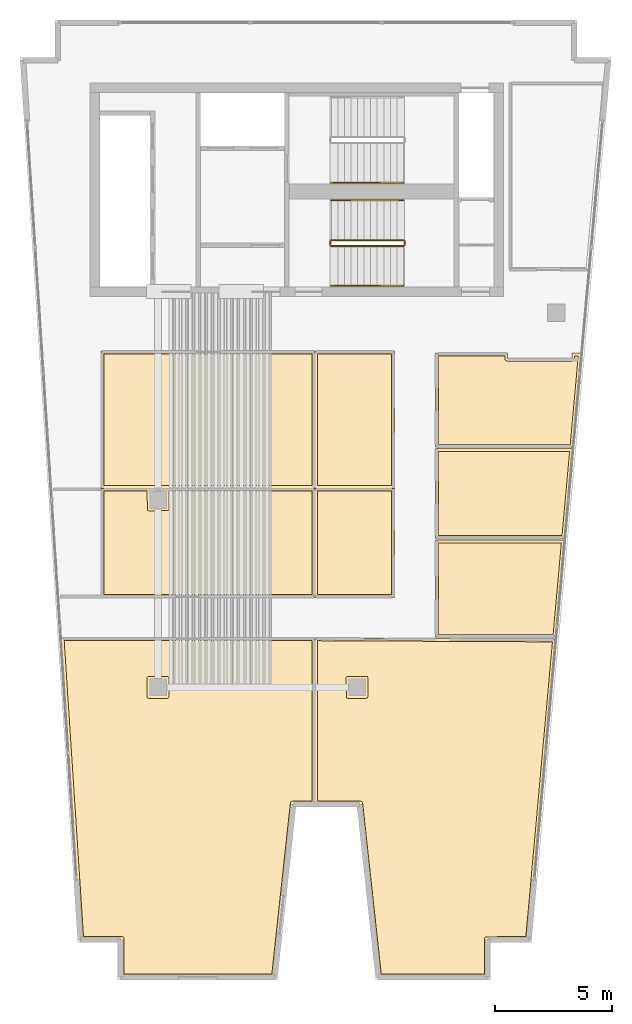
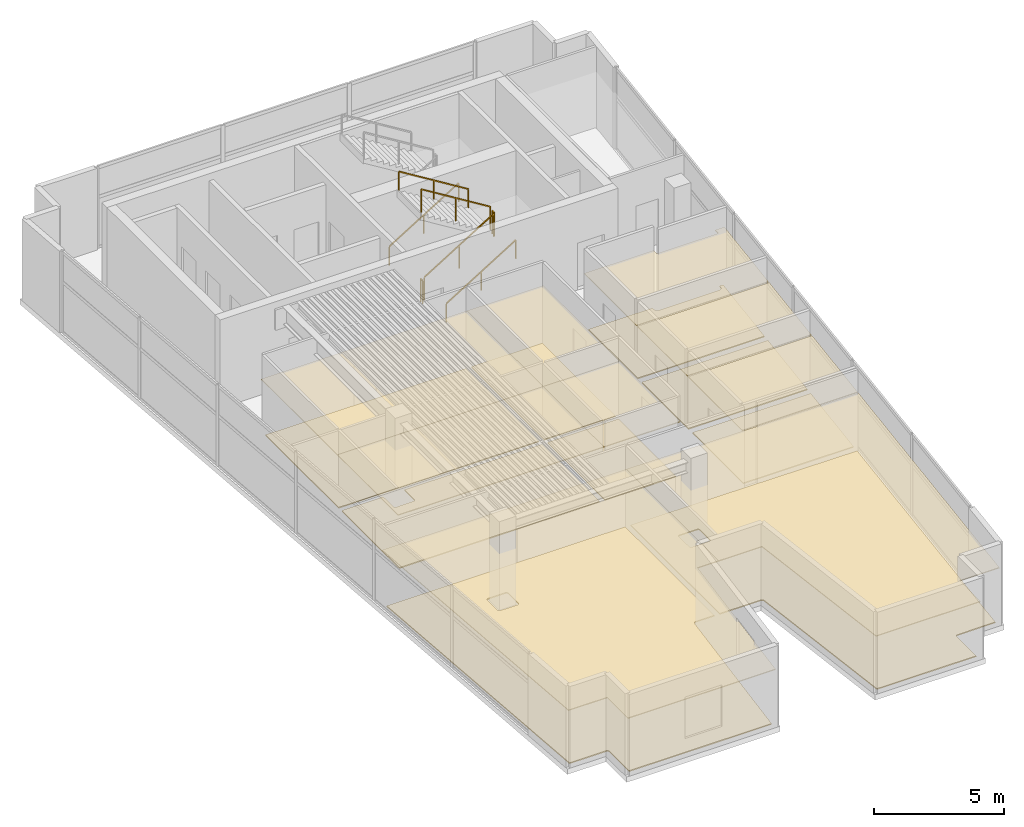
# One storey, part 6 of 7: 18 coverings, 7 railings.
"""IFC4 building model written with IfcOpenShell, lengths in metres."""

import ifcopenshell
import ifcopenshell.guid

model = None  # the IFC model being written
_history = None  # IfcOwnerHistory: only IFC2X3 demands one
_inside = {}  # id of a spatial element -> (the spatial element, [elements in it])
_under = {}  # id of a project, library or spatial element -> (it, [spatial elements below it])
_declared = {}  # id of a project -> (the project, [libraries it declares])
_typed = {}  # id of a type object -> (the type object, [elements of that type])
_made_of = {}  # id of a material, layer set ... -> (it, [elements and type objects made of it])


def new_model(schema):
    """Start an empty IFC model of exactly this schema.

    Asked for "IFC4X3", IfcOpenShell would pick the latest addendum, in which some entities
    have other attributes; the version numbers below select the first issue.
    IFC2X3 requires an IfcOwnerHistory on every rooted entity: one is made here for all.
    """
    global model, _history
    if schema == "IFC4X3":
        model = ifcopenshell.file(schema_version=(4, 3, 0, 0))
    else:
        model = ifcopenshell.file(schema=schema)
    _inside.clear()
    _under.clear()
    _declared.clear()
    _typed.clear()
    _made_of.clear()
    _history = None
    if model.schema == "IFC2X3":
        org = make("IfcOrganization", Name="unknown")
        user = make(
            "IfcPersonAndOrganization",
            ThePerson=make("IfcPerson", FamilyName="unknown"),
            TheOrganization=org,
        )
        app = make(
            "IfcApplication",
            ApplicationDeveloper=org,
            Version="unknown",
            ApplicationFullName="unknown",
            ApplicationIdentifier="unknown",
        )
        _history = make(
            "IfcOwnerHistory",
            OwningUser=user,
            OwningApplication=app,
            ChangeAction="ADDED",
            CreationDate=0,
        )
    return model


def make(cls, **values):
    """One entity of the class cls with the attributes given. An attribute that is None is left unset."""
    return model.create_entity(
        cls, **{name: value for name, value in values.items() if value is not None}
    )


def rooted(cls, **values):
    """An entity with a GlobalId (a new one), such as an element, a storey or a relation."""
    return make(cls, GlobalId=ifcopenshell.guid.new(), OwnerHistory=_history, **values)


def si_unit(unit_type, name, prefix=None):
    """IfcSIUnit, for example si_unit("LENGTHUNIT", "METRE", prefix="MILLI")."""
    return make("IfcSIUnit", UnitType=unit_type, Prefix=prefix, Name=name)


def assignment(units):
    """IfcUnitAssignment: the units of a project."""
    return None if units is None else make("IfcUnitAssignment", Units=units)


def point(xyz):
    """IfcCartesianPoint."""
    return None if xyz is None else make("IfcCartesianPoint", Coordinates=xyz)


def direction(xyz):
    """IfcDirection."""
    return None if xyz is None else make("IfcDirection", DirectionRatios=xyz)


def frame(location, z_axis=None, x_axis=None):
    """IfcAxis2Placement3D, a coordinate frame: its origin and axes. An axis left out is left unset."""
    return make(
        "IfcAxis2Placement3D",
        Location=point(location),
        Axis=direction(z_axis),
        RefDirection=direction(x_axis),
    )


def frame_2d(location, x_axis=None):
    """IfcAxis2Placement2D, a coordinate frame in the plane: its origin and x axis."""
    return make(
        "IfcAxis2Placement2D", Location=point(location), RefDirection=direction(x_axis)
    )


def origin():
    """The frame at (0, 0, 0) with its axes left unset."""
    return frame((0.0, 0.0, 0.0))


def origin_2d():
    """The frame at (0, 0) in the plane with its x axis left unset."""
    return frame_2d((0.0, 0.0))


def place(relative_to, where):
    """IfcLocalPlacement: puts the frame where relative to a parent placement (None: the world)."""
    return make(
        "IfcLocalPlacement", PlacementRelTo=relative_to, RelativePlacement=where
    )


def context(
    kind, dimensions, precision=None, world=None, true_north=None, identifier=None
):
    """IfcGeometricRepresentationContext, for example the 3D "Model" context."""
    return make(
        "IfcGeometricRepresentationContext",
        ContextIdentifier=identifier,
        ContextType=kind,
        CoordinateSpaceDimension=dimensions,
        Precision=precision,
        WorldCoordinateSystem=world,
        TrueNorth=true_north,
    )


def subcontext(parent, identifier, kind, view, scale=None):
    """IfcGeometricRepresentationSubContext, for example "Body" below "Model"."""
    return make(
        "IfcGeometricRepresentationSubContext",
        ContextIdentifier=identifier,
        ContextType=kind,
        ParentContext=parent,
        TargetScale=scale,
        TargetView=view,
    )


def project(units=None, contexts=None):
    """IfcProject with its units and contexts."""
    return rooted(
        "IfcProject",
        Name="project",
        RepresentationContexts=contexts,
        UnitsInContext=assignment(units),
    )


def spatial(cls, under=None, at=None, **own):
    """A site, building, storey or space (cls), placed at a placement, below another one or the project."""
    s = rooted(cls, ObjectPlacement=at, **own)
    if under is not None:
        _under.setdefault(under.id(), (under, []))[1].append(s)
    return s


def polyline(points):
    """IfcPolyline through the points."""
    return make("IfcPolyline", Points=[point(p) for p in points])


def profile(cls, at=None, kind="AREA", **sizes):
    """A parametric profile (cls). Its sizes go by their IFC names, for example OverallWidth=200.0."""
    return make(cls, ProfileType=kind, Position=at, **sizes)


def rectangle(**sizes):
    """IfcRectangleProfileDef."""
    return profile("IfcRectangleProfileDef", **sizes)


def outline(outer, holes=None, kind="AREA"):
    """IfcArbitraryClosedProfileDef: a profile drawn as a closed curve; with holes, ...WithVoids."""
    if holes is None:
        return make("IfcArbitraryClosedProfileDef", ProfileType=kind, OuterCurve=outer)
    return make(
        "IfcArbitraryProfileDefWithVoids",
        ProfileType=kind,
        OuterCurve=outer,
        InnerCurves=holes,
    )


def extrude(swept, where, along, depth):
    """IfcExtrudedAreaSolid: the profile swept, set in the frame where, extruded along a direction by depth."""
    return make(
        "IfcExtrudedAreaSolid",
        SweptArea=swept,
        Position=where,
        ExtrudedDirection=direction(along),
        Depth=depth,
    )


def shape(context_of_items, identifier, shape_type, items):
    """IfcShapeRepresentation: the items that make up one representation, for example the "Body"."""
    return make(
        "IfcShapeRepresentation",
        ContextOfItems=context_of_items,
        RepresentationIdentifier=identifier,
        RepresentationType=shape_type,
        Items=items,
    )


def material(Name=None, Category=None):
    """IfcMaterial."""
    return make("IfcMaterial", Name=Name, Category=Category)


def layer(
    of_material, thickness, ventilated=None, Name=None, Category=None, Priority=None
):
    """IfcMaterialLayer: one layer of a wall or slab, of a material (None: an air gap)."""
    return make(
        "IfcMaterialLayer",
        Material=of_material,
        LayerThickness=thickness,
        IsVentilated=ventilated,
        Name=Name,
        Category=Category,
        Priority=Priority,
    )


def layer_set(layers, Name=None):
    """IfcMaterialLayerSet."""
    return make("IfcMaterialLayerSet", MaterialLayers=layers, LayerSetName=Name)


def made_of(thing, what):
    """Note that an element or type object is made of a material, layer set ...; save() writes the relation."""
    if what is not None:
        _made_of.setdefault(what.id(), (what, []))[1].append(thing)
    return thing


def type_object(cls, material=None, **own):
    """A type object (cls), such as IfcWallType, which elements share."""
    return made_of(rooted(cls, **own), material)


def element(
    cls,
    number,
    at=None,
    inside=None,
    cuts=None,
    type_object=None,
    material=None,
    context=None,
    identifier="Body",
    shape_type=None,
    held_by="IfcProductDefinitionShape",
    body=None,
    shapes=None,
    **own,
):
    """One element of the class cls, such as IfcWall. Its Tag is "e" and its number.

    at: its placement. inside: the storey or other place that contains it. cuts: it is an
    opening in that element (IfcRelVoidsElement). A single representation is given by context,
    identifier, shape_type and body (its items); several are given by shapes. held_by: the class
    of the entity that holds the representations. save() writes the other relations.
    """
    e = rooted(cls, Tag="e%d" % number, ObjectPlacement=at, **own)
    if body is not None:
        shapes = [shape(context, identifier, shape_type, body)]
    if shapes is not None:
        e.Representation = make(held_by, Representations=shapes)
    if inside is not None:
        _inside.setdefault(inside.id(), (inside, []))[1].append(e)
    if cuts is not None:
        rooted(
            "IfcRelVoidsElement", RelatingBuildingElement=cuts, RelatedOpeningElement=e
        )
    if type_object is not None:
        _typed.setdefault(type_object.id(), (type_object, []))[1].append(e)
    return made_of(e, material)


def aggregate(whole, parts):
    """IfcRelAggregates: a whole, such as a stair, and the parts it consists of."""
    return rooted("IfcRelAggregates", RelatingObject=whole, RelatedObjects=parts)


def save(model, path):
    """Write the relations noted so far, then the file.

    IfcRelAggregates (storeys below a building ...), IfcRelContainedInSpatialStructure (elements
    in a storey), IfcRelDefinesByType, IfcRelAssociatesMaterial and IfcRelDeclares: one each for
    every whole, place, type object, material and project.
    """
    for whole, parts in _under.values():
        aggregate(whole, parts)
    for where, things in _inside.values():
        rooted(
            "IfcRelContainedInSpatialStructure",
            RelatedElements=things,
            RelatingStructure=where,
        )
    for kind, things in _typed.values():
        rooted("IfcRelDefinesByType", RelatedObjects=things, RelatingType=kind)
    for what, things in _made_of.values():
        rooted("IfcRelAssociatesMaterial", RelatedObjects=things, RelatingMaterial=what)
    for by, libraries in _declared.values():
        rooted("IfcRelDeclares", RelatingContext=by, RelatedDefinitions=libraries)
    model.write(path)


model = new_model("IFC4")

# Units and contexts
model_context = context("Model", 3, precision=1e-05, world=origin(), true_north=direction((0.0, 1.0)))
body_context = subcontext(model_context, "Body", "Model", "MODEL_VIEW")
ifc_project = project(units=[si_unit("LENGTHUNIT", "METRE"), si_unit("AREAUNIT", "SQUARE_METRE"), si_unit("VOLUMEUNIT", "CUBIC_METRE"), si_unit("PLANEANGLEUNIT", "RADIAN"), si_unit("MASSUNIT", "GRAM", prefix="KILO")], contexts=[model_context])

# Site, building, storey
site_placement = place(None, origin())
site = spatial("IfcSite", under=ifc_project, at=site_placement, CompositionType="ELEMENT")
building_placement = place(site_placement, origin())
building = spatial("IfcBuilding", under=site, at=building_placement, Name="Caeloran Harvest Quay", CompositionType="ELEMENT")
storey_placement = place(building_placement, frame((0.0, 0.0, 319.89990234375)))
storey = spatial("IfcBuildingStorey", under=building, at=storey_placement, Name="L77", CompositionType="ELEMENT", Elevation=319.89990234375)

# Coverings
ifc_material_1 = material(Name="Perforated Mineral-Fibre Acoustic Ceiling Tile", Category="ceiling")
ifc_layer_1 = layer(ifc_material_1, 0.0400390625, Name="Perforated Mineral-Fibre Acoustic Ceiling Tile")
ifc_layer_set_1 = layer_set([ifc_layer_1], Name="Perforated Mineral-Fibre Acoustic Ceiling Tile")
covering_type_1 = type_object("IfcCoveringType", Name="COV-CEILING-ACOUSTIC", PredefinedType="CEILING", material=ifc_layer_set_1)
covering_1_placement = place(storey_placement, frame((0.0, 0.0, 2.60009765625)))
element("IfcCovering", 1, at=covering_1_placement, inside=storey, type_object=covering_type_1, Name="L77 Male Washroom WC Acoustic Ceiling", PredefinedType="CEILING", context=body_context, shape_type="SweptSolid", body=[
    extrude(outline(polyline([(23.429931640625, 29.280029296875), (23.43017578125, 29.048095703125), (23.450927734375, 29.030029296875), (26.152099609375, 29.030029296875), (26.169921875, 29.048095703125), (26.169921875, 29.280029296875), (26.576904296875, 29.280029296875), (26.214599609375, 25.260009765625), (20.360107421875, 25.260009765625), (20.360107421875, 29.280029296875), (23.429931640625, 29.280029296875)])), origin(), (0.0, 0.0, 1.0), 0.0400390625),
])
covering_2_placement = place(storey_placement, frame((0.0, 0.0, 2.60009765625)))
element("IfcCovering", 2, at=covering_2_placement, inside=storey, type_object=covering_type_1, Name="L77 Female Washroom WC Acoustic Ceiling", PredefinedType="CEILING", context=body_context, shape_type="SweptSolid", body=[
    extrude(outline(polyline([(26.208251953125, 25.18994140625), (25.86279296875, 21.360107421875), (20.360107421875, 21.360107421875), (20.360107421875, 25.18994140625), (26.208251953125, 25.18994140625)])), origin(), (0.0, 0.0, 1.0), 0.0400390625),
])
covering_3_placement = place(storey_placement, frame((0.0, 0.0, 2.60009765625)))
element("IfcCovering", 3, at=covering_3_placement, inside=storey, type_object=covering_type_1, Name="L77 Accessible Unisex Washroom WC Acoustic Ceiling", PredefinedType="CEILING", context=body_context, shape_type="SweptSolid", body=[
    extrude(outline(polyline([(25.8564453125, 21.2900390625), (25.482177734375, 17.139892578125), (20.360107421875, 17.139892578125), (20.360107421875, 21.2900390625), (25.8564453125, 21.2900390625)])), origin(), (0.0, 0.0, 1.0), 0.0400390625),
])
covering_4_placement = place(storey_placement, frame((0.0, 0.0, 2.60009765625)))
element("IfcCovering", 4, at=covering_4_placement, inside=storey, type_object=covering_type_1, Name="Pinnacle Botanical Observatory Studio Acoustic Ceiling", PredefinedType="CEILING", context=body_context, shape_type="SweptSolid", body=[
    extrude(outline(polyline([(14.266845703125, 10.02001953125), (13.466796875, 2.639892578125), (6.91748046875, 2.639892578125), (6.91748046875, 4.239990234375), (5.2041015625, 4.239990234375), (4.36376953125, 17.110107421875), (15.199951171875, 17.110107421875), (15.199951171875, 10.02001953125), (14.266845703125, 10.02001953125)])), origin(), (0.0, 0.0, 1.0), 0.0400390625),
])
covering_5_placement = place(storey_placement, frame((0.0, 0.0, 2.60009765625)))
element("IfcCovering", 5, at=covering_5_placement, inside=storey, type_object=covering_type_1, Name="Diplomatic Conference Hall Acoustic Ceiling", PredefinedType="CEILING", context=body_context, shape_type="SweptSolid", body=[
    extrude(outline(polyline([(22.5625, 4.239990234375), (22.5625, 2.639892578125), (17.925537109375, 2.639892578125), (17.12548828125, 10.02001953125), (15.199951171875, 10.02001953125), (15.199951171875, 17.110107421875), (25.47509765625, 17.059814453125), (24.31884765625, 4.239990234375), (22.5625, 4.239990234375)])), origin(), (0.0, 0.0, 1.0), 0.0400390625),
])
covering_6_placement = place(storey_placement, frame((0.0, 0.0, 2.60009765625)))
element("IfcCovering", 6, at=covering_6_placement, inside=storey, type_object=covering_type_1, Name="Private Family Meeting Room Acoustic Ceiling", PredefinedType="CEILING", context=body_context, shape_type="SweptSolid", body=[
    extrude(outline(polyline([(6.070068359375, 18.840087890625), (6.070068359375, 23.5), (15.199951171875, 23.5), (15.199951171875, 18.840087890625), (6.070068359375, 18.840087890625)])), origin(), (0.0, 0.0, 1.0), 0.0400390625),
])
covering_7_placement = place(storey_placement, frame((0.0, 0.0, 2.60009765625)))
element("IfcCovering", 7, at=covering_7_placement, inside=storey, type_object=covering_type_1, Name="Pinnacle Tasting Salon Lounge Acoustic Ceiling", PredefinedType="CEILING", context=body_context, shape_type="SweptSolid", body=[
    extrude(outline(polyline([(18.590087890625, 23.5), (18.590087890625, 18.840087890625), (15.199951171875, 18.840087890625), (15.199951171875, 23.5), (18.590087890625, 23.5)])), origin(), (0.0, 0.0, 1.0), 0.0400390625),
])
covering_8_placement = place(storey_placement, frame((0.0, 0.0, 2.60009765625)))
element("IfcCovering", 8, at=covering_8_placement, inside=storey, type_object=covering_type_1, Name="Artisanal Tea Kitchen Acoustic Ceiling", PredefinedType="CEILING", context=body_context, shape_type="SweptSolid", body=[
    extrude(outline(polyline([(6.070068359375, 29.360107421875), (15.199951171875, 29.360107421875), (15.199951171875, 23.5), (6.070068359375, 23.5), (6.070068359375, 29.360107421875)])), origin(), (0.0, 0.0, 1.0), 0.0400390625),
])
covering_9_placement = place(storey_placement, frame((0.0, 0.0, 2.60009765625)))
element("IfcCovering", 9, at=covering_9_placement, inside=storey, type_object=covering_type_1, Name="Curator Archive Laboratory Acoustic Ceiling", PredefinedType="CEILING", context=body_context, shape_type="SweptSolid", body=[
    extrude(outline(polyline([(15.199951171875, 29.360107421875), (18.590087890625, 29.360107421875), (18.590087890625, 23.5), (15.199951171875, 23.5), (15.199951171875, 29.360107421875)])), origin(), (0.0, 0.0, 1.0), 0.0400390625),
])
ifc_material_2 = material(Name="Calcium-Sulphate Raised Access Floor and Terrazzo Finish", Category="flooring")
ifc_layer_2 = layer(ifc_material_2, 0.050048828125, Name="Calcium-Sulphate Raised Access Floor and Terrazzo Finish")
ifc_layer_set_2 = layer_set([ifc_layer_2], Name="Calcium-Sulphate Raised Access Floor and Terrazzo Finish")
covering_type_2 = type_object("IfcCoveringType", Name="COV-FLOOR-RAISED", PredefinedType="FLOORING", material=ifc_layer_set_2)
covering_10_placement = place(storey_placement, origin())
element("IfcCovering", 10, at=covering_10_placement, inside=storey, type_object=covering_type_2, Name="L77 Male Washroom WC Raised Finish Flooring", PredefinedType="FLOORING", context=body_context, shape_type="SweptSolid", body=[
    extrude(outline(polyline([(23.31005859375, 29.159912109375), (23.32861328125, 28.980712890625), (23.449951171875, 28.909912109375), (26.159912109375, 28.910400390625), (26.275146484375, 28.987548828125), (26.2900390625, 29.159912109375), (26.44580078125, 29.159912109375), (26.104736328125, 25.3798828125), (20.47998046875, 25.3798828125), (20.47998046875, 29.159912109375), (23.31005859375, 29.159912109375)])), origin(), (0.0, 0.0, 1.0), 0.050048828125),
])
covering_11_placement = place(storey_placement, origin())
element("IfcCovering", 11, at=covering_11_placement, inside=storey, type_object=covering_type_2, Name="L77 Female Washroom WC Raised Finish Flooring", PredefinedType="FLOORING", context=body_context, shape_type="SweptSolid", body=[
    extrude(outline(polyline([(26.076904296875, 25.070068359375), (25.753173828125, 21.47998046875), (20.47998046875, 21.47998046875), (20.47998046875, 25.070068359375), (26.076904296875, 25.070068359375)])), origin(), (0.0, 0.0, 1.0), 0.050048828125),
])
covering_12_placement = place(storey_placement, origin())
element("IfcCovering", 12, at=covering_12_placement, inside=storey, type_object=covering_type_2, Name="L77 Accessible Unisex Washroom WC Raised Finish Flooring", PredefinedType="FLOORING", context=body_context, shape_type="SweptSolid", body=[
    extrude(outline(polyline([(25.72509765625, 21.169921875), (25.37255859375, 17.260009765625), (20.47998046875, 17.260009765625), (20.47998046875, 21.169921875), (25.72509765625, 21.169921875)])), origin(), (0.0, 0.0, 1.0), 0.050048828125),
])
covering_13_placement = place(storey_placement, origin())
element("IfcCovering", 13, at=covering_13_placement, inside=storey, type_object=covering_type_2, Name="Pinnacle Botanical Observatory Studio Raised Finish Flooring", PredefinedType="FLOORING", context=body_context, shape_type="SweptSolid", body=[
    extrude(outline(polyline([(14.23095703125, 10.139892578125), (14.1748046875, 10.116943359375), (14.1513671875, 10.068603515625), (13.359130859375, 2.760009765625), (7.03759765625, 2.760009765625), (7.03759765625, 4.280029296875), (7.01416015625, 4.336669921875), (6.95751953125, 4.360107421875), (5.316650390625, 4.360107421875), (4.49169921875, 16.989990234375), (15.080078125, 16.989990234375), (15.080078125, 10.139892578125), (14.23095703125, 10.139892578125)]), holes=[polyline([(8.030029296875, 14.610107421875), (8.053466796875, 14.553466796875), (8.102294921875, 14.530517578125), (8.889892578125, 14.530029296875), (8.946533203125, 14.553466796875), (8.969970703125, 14.610107421875), (8.969970703125, 15.389892578125), (8.946533203125, 15.446533203125), (8.889892578125, 15.469970703125), (8.110107421875, 15.469970703125), (8.053466796875, 15.446533203125), (8.030029296875, 15.389892578125), (8.030029296875, 14.610107421875)])]), origin(), (0.0, 0.0, 1.0), 0.050048828125),
])
covering_14_placement = place(storey_placement, origin())
element("IfcCovering", 14, at=covering_14_placement, inside=storey, type_object=covering_type_2, Name="Diplomatic Conference Hall Raised Finish Flooring", PredefinedType="FLOORING", context=body_context, shape_type="SweptSolid", body=[
    extrude(outline(polyline([(24.209228515625, 4.360107421875), (22.4716796875, 4.341796875), (22.4423828125, 4.280029296875), (22.4423828125, 2.760009765625), (18.033203125, 2.760009765625), (17.235107421875, 10.09130859375), (17.16162109375, 10.139892578125), (15.320068359375, 10.139892578125), (15.320068359375, 16.989501953125), (25.34375, 16.9404296875), (24.209228515625, 4.360107421875)]), holes=[polyline([(16.530029296875, 15.389892578125), (16.548095703125, 14.55908203125), (16.602294921875, 14.530517578125), (17.389892578125, 14.530029296875), (17.446533203125, 14.553466796875), (17.469970703125, 14.610107421875), (17.469970703125, 15.389892578125), (17.446533203125, 15.446533203125), (17.389892578125, 15.469970703125), (16.610107421875, 15.469970703125), (16.553466796875, 15.446533203125), (16.530029296875, 15.389892578125)])]), origin(), (0.0, 0.0, 1.0), 0.050048828125),
])
covering_15_placement = place(storey_placement, origin())
element("IfcCovering", 15, at=covering_15_placement, inside=storey, type_object=covering_type_2, Name="Private Family Meeting Room Raised Finish Flooring", PredefinedType="FLOORING", context=body_context, shape_type="SweptSolid", body=[
    extrude(outline(polyline([(8.030029296875, 23.3798828125), (8.048095703125, 22.55908203125), (8.102294921875, 22.530517578125), (8.94091796875, 22.548095703125), (8.969970703125, 22.610107421875), (8.969970703125, 23.3798828125), (15.080078125, 23.3798828125), (15.080078125, 18.9599609375), (6.18994140625, 18.9599609375), (6.18994140625, 23.3798828125), (8.030029296875, 23.3798828125)])), origin(), (0.0, 0.0, 1.0), 0.050048828125),
])
covering_16_placement = place(storey_placement, origin())
element("IfcCovering", 16, at=covering_16_placement, inside=storey, type_object=covering_type_2, Name="Pinnacle Tasting Salon Lounge Raised Finish Flooring", PredefinedType="FLOORING", context=body_context, shape_type="SweptSolid", body=[
    extrude(outline(polyline([(18.469970703125, 23.3798828125), (18.469970703125, 18.9599609375), (15.320068359375, 18.9599609375), (15.320068359375, 23.3798828125), (18.469970703125, 23.3798828125)])), origin(), (0.0, 0.0, 1.0), 0.050048828125),
])
covering_17_placement = place(storey_placement, origin())
element("IfcCovering", 17, at=covering_17_placement, inside=storey, type_object=covering_type_2, Name="Artisanal Tea Kitchen Raised Finish Flooring", PredefinedType="FLOORING", context=body_context, shape_type="SweptSolid", body=[
    extrude(outline(polyline([(6.18994140625, 29.239990234375), (15.080078125, 29.239990234375), (15.080078125, 23.6201171875), (6.18994140625, 23.6201171875), (6.18994140625, 29.239990234375)])), origin(), (0.0, 0.0, 1.0), 0.050048828125),
])
covering_18_placement = place(storey_placement, origin())
element("IfcCovering", 18, at=covering_18_placement, inside=storey, type_object=covering_type_2, Name="Curator Archive Laboratory Raised Finish Flooring", PredefinedType="FLOORING", context=body_context, shape_type="SweptSolid", body=[
    extrude(outline(polyline([(15.320068359375, 29.239990234375), (18.469970703125, 29.239990234375), (18.469970703125, 23.6201171875), (15.320068359375, 23.6201171875), (15.320068359375, 29.239990234375)])), origin(), (0.0, 0.0, 1.0), 0.050048828125),
])

# Railings
ifc_material_3 = material(Name="Painted Steel Baluster and Top-Rail Stair Guard", Category="steel")
ifc_layer_3 = layer(ifc_material_3, 0.050048828125, Name="Painted Steel Baluster and Top-Rail Stair Guard")
ifc_layer_set_3 = layer_set([ifc_layer_3], Name="Painted Steel Baluster and Top-Rail Stair Guard")
railing_type_1 = type_object("IfcRailingType", Name="STAIR-GUARD-1100", PredefinedType="GUARDRAIL", material=ifc_layer_set_3)
railing_1_placement = place(storey_placement, frame((15.89990234375, 33.85009765625, 0.173095703125)))
element("IfcRailing", 19, at=railing_1_placement, inside=storey, type_object=railing_type_1, Name="L77 ST-C2 stair guard 1", PredefinedType="GUARDRAIL", context=body_context, shape_type="SweptSolid", body=[
    extrude(rectangle(XDim=0.048095703125, YDim=0.048095703125, at=origin_2d()), frame((0.0, 0.0, 1.076171875), z_axis=(0.850835241893, 0.0, 0.525432575268), x_axis=(0.0, 1.0, 0.0)), (0.0, 0.0, 1.0), 3.6201171875),
    extrude(rectangle(XDim=0.0419921875, YDim=0.0419921875, at=origin_2d()), origin(), (0.0, 0.0, 1.0), 1.052001953125),
    extrude(rectangle(XDim=0.0419921875, YDim=0.0419921875, at=origin_2d()), frame((1.5400390625, 0.0, 0.951171875)), (0.0, 0.0, 1.0), 1.052001953125),
    extrude(rectangle(XDim=0.0419921875, YDim=0.0419921875, at=origin_2d()), frame((3.080078125, 0.0, 1.902099609375)), (0.0, 0.0, 1.0), 1.052001953125),
])
railing_2_placement = place(storey_placement, frame((19.030029296875, 33.89990234375, 2.0751953125)))
element("IfcRailing", 20, at=railing_2_placement, inside=storey, type_object=railing_type_1, Name="L77 ST-C2 stair guard 2", PredefinedType="GUARDRAIL", context=body_context, shape_type="SweptSolid", body=[
    extrude(rectangle(XDim=0.048095703125, YDim=0.048095703125, at=origin_2d()), frame((0.0, 0.0, 1.076171875), z_axis=(0.0, 1.0, 0.0), x_axis=(-1.0, 0.0, 0.0)), (0.0, 0.0, 1.0), 0.150146484375),
    extrude(rectangle(XDim=0.0419921875, YDim=0.0419921875, at=origin_2d()), origin(), (0.0, 0.0, 1.0), 1.052001953125),
    extrude(rectangle(XDim=0.0419921875, YDim=0.0419921875, at=origin_2d()), frame((0.0, 0.150146484375, 0.0)), (0.0, 0.0, 1.0), 1.052001953125),
])
railing_3_placement = place(storey_placement, frame((18.97998046875, 34.10009765625, 2.248046875)))
element("IfcRailing", 21, at=railing_3_placement, inside=storey, type_object=railing_type_1, Name="L77 ST-C2 stair guard 3", PredefinedType="GUARDRAIL", context=body_context, shape_type="SweptSolid", body=[
    extrude(rectangle(XDim=0.048095703125, YDim=0.048095703125, at=origin_2d()), frame((0.0, 0.0, 1.076171875), z_axis=(-0.850835241893, 0.0, 0.525432575268), x_axis=(0.0, -1.0, 0.0)), (0.0, 0.0, 1.0), 3.6201171875),
    extrude(rectangle(XDim=0.0419921875, YDim=0.0419921875, at=origin_2d()), origin(), (0.0, 0.0, 1.0), 1.052001953125),
    extrude(rectangle(XDim=0.0419921875, YDim=0.0419921875, at=origin_2d()), frame((-1.5400390625, 0.0, 0.951171875)), (0.0, 0.0, 1.0), 1.052001953125),
    extrude(rectangle(XDim=0.0419921875, YDim=0.0419921875, at=origin_2d()), frame((-3.080078125, 0.0, 1.902099609375)), (0.0, 0.0, 1.0), 1.052001953125),
])
railing_4_placement = place(storey_placement, frame((15.85009765625, 33.89990234375, 0.0)))
element("IfcRailing", 22, at=railing_4_placement, inside=storey, type_object=railing_type_1, Name="L77 ST-C2 stair guard 4", PredefinedType="GUARDRAIL", context=body_context, shape_type="SweptSolid", body=[
    extrude(rectangle(XDim=0.048095703125, YDim=0.048095703125, at=origin_2d()), frame((0.0, 0.0, 1.076171875), z_axis=(0.0, 1.0, 0.0), x_axis=(-1.0, 0.0, 0.0)), (0.0, 0.0, 1.0), 0.150146484375),
    extrude(rectangle(XDim=0.0419921875, YDim=0.0419921875, at=origin_2d()), origin(), (0.0, 0.0, 1.0), 1.052001953125),
    extrude(rectangle(XDim=0.0419921875, YDim=0.0419921875, at=origin_2d()), frame((0.0, 0.150146484375, 0.0)), (0.0, 0.0, 1.0), 1.052001953125),
])
ifc_material_4 = material(Name="Brushed Stainless Steel Grade 304", Category="steel")
ifc_layer_4 = layer(ifc_material_4, 0.050048828125, Name="Brushed Stainless Steel Grade 304")
ifc_layer_set_4 = layer_set([ifc_layer_4], Name="Brushed Stainless Steel Grade 304")
railing_type_2 = type_object("IfcRailingType", Name="STAIR-HANDRAIL-900", PredefinedType="HANDRAIL", material=ifc_layer_set_4)
for number, where, name in (
    (23, (15.89990234375, 36.550048828125, 0.173095703125), "L77 ST-C1 stair handrail 1"),
    (24, (15.89990234375, 32.14990234375, 0.173095703125), "L77 ST-C2 stair handrail 1"),
):
    element("IfcRailing", number, at=place(storey_placement, frame(where)), inside=storey, type_object=railing_type_2, Name=name, PredefinedType="HANDRAIL", context=body_context, shape_type="SweptSolid", body=[
        extrude(rectangle(XDim=0.048095703125, YDim=0.048095703125, at=origin_2d()), frame((0.0, 0.0, 0.8759765625), z_axis=(0.850835241893, 0.0, 0.525432575268), x_axis=(0.0, 1.0, 0.0)), (0.0, 0.0, 1.0), 3.6201171875),
        extrude(rectangle(XDim=0.0419921875, YDim=0.0419921875, at=origin_2d()), origin(), (0.0, 0.0, 1.0), 0.851806640625),
        extrude(rectangle(XDim=0.0419921875, YDim=0.0419921875, at=origin_2d()), frame((1.5400390625, 0.0, 0.951171875)), (0.0, 0.0, 1.0), 0.851806640625),
        extrude(rectangle(XDim=0.0419921875, YDim=0.0419921875, at=origin_2d()), frame((3.080078125, 0.0, 1.902099609375)), (0.0, 0.0, 1.0), 0.851806640625),
    ])
railing_5_placement = place(storey_placement, frame((18.97998046875, 35.800048828125, 2.248046875)))
element("IfcRailing", 25, at=railing_5_placement, inside=storey, type_object=railing_type_2, Name="L77 ST-C2 stair handrail 2", PredefinedType="HANDRAIL", context=body_context, shape_type="SweptSolid", body=[
    extrude(rectangle(XDim=0.048095703125, YDim=0.048095703125, at=origin_2d()), frame((0.0, 0.0, 0.8759765625), z_axis=(-0.850835241893, 0.0, 0.525432575268), x_axis=(0.0, -1.0, 0.0)), (0.0, 0.0, 1.0), 3.6201171875),
    extrude(rectangle(XDim=0.0419921875, YDim=0.0419921875, at=origin_2d()), origin(), (0.0, 0.0, 1.0), 0.851806640625),
    extrude(rectangle(XDim=0.0419921875, YDim=0.0419921875, at=origin_2d()), frame((-1.5400390625, 0.0, 0.951171875)), (0.0, 0.0, 1.0), 0.851806640625),
    extrude(rectangle(XDim=0.0419921875, YDim=0.0419921875, at=origin_2d()), frame((-3.080078125, 0.0, 1.902099609375)), (0.0, 0.0, 1.0), 0.851806640625),
])

save(model, "model.ifc")
